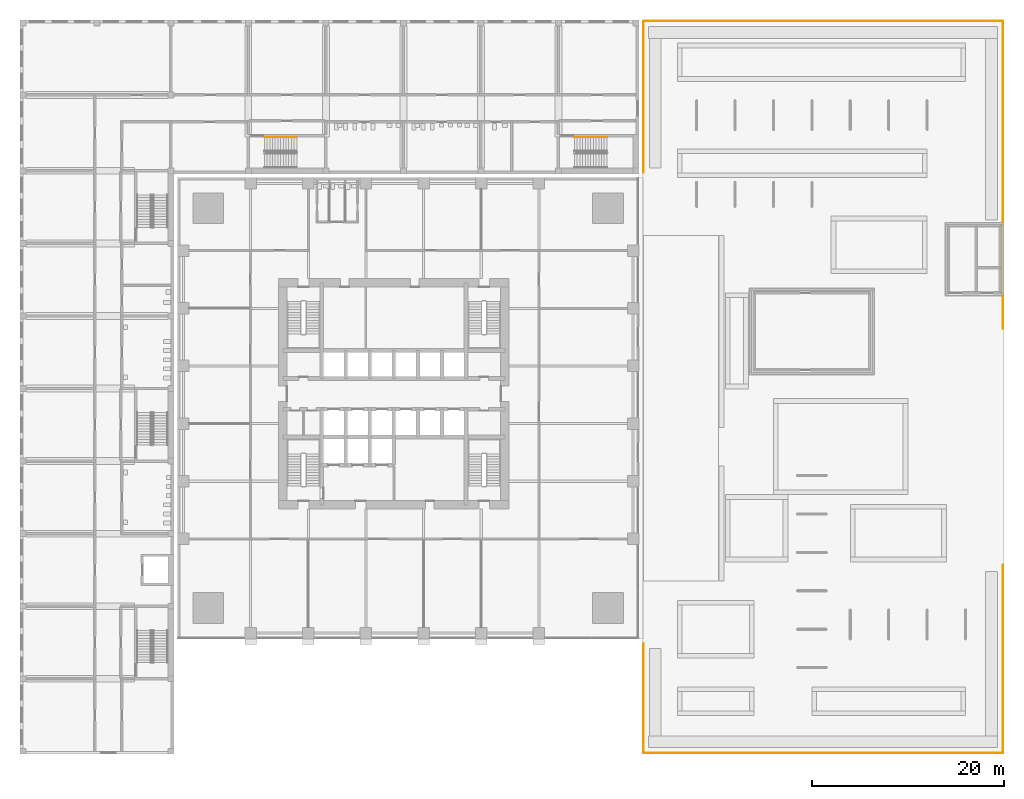
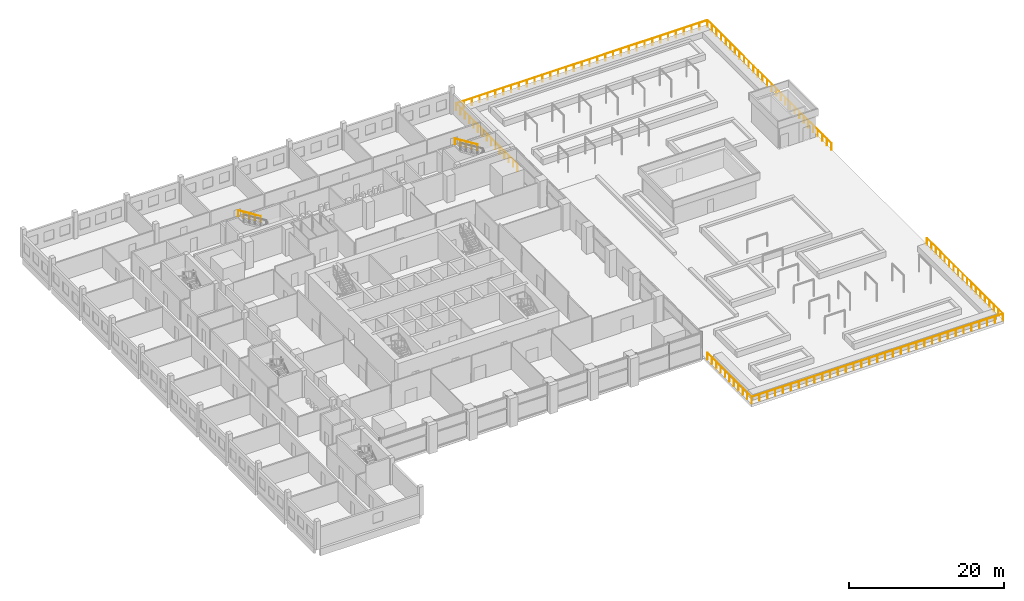
# One storey, part 33 of 34: 8 railings.
"""IFC4 building model written with IfcOpenShell, lengths in metres."""

from ifc_helpers import new_model, si_unit, direction, frame, origin, origin_2d, place, context, subcontext, project, spatial, circle, extrude, material, type_object, element, save


model = new_model("IFC4")

# Units and contexts
model_context = context("Model", 3, precision=1e-05, world=origin(), true_north=direction((0.0, 1.0)))
body_context = subcontext(model_context, "Body", "Model", "MODEL_VIEW")
ifc_project = project(units=[si_unit("LENGTHUNIT", "METRE"), si_unit("AREAUNIT", "SQUARE_METRE"), si_unit("VOLUMEUNIT", "CUBIC_METRE"), si_unit("PLANEANGLEUNIT", "RADIAN"), si_unit("MASSUNIT", "GRAM", prefix="KILO")], contexts=[model_context])

# Site, building, storey
site_placement = place(None, origin())
site = spatial("IfcSite", under=ifc_project, at=site_placement, CompositionType="ELEMENT")
building_placement = place(site_placement, origin())
building = spatial("IfcBuilding", under=site, at=building_placement, Name="Amberfall Residences", CompositionType="ELEMENT")
storey_placement = place(building_placement, frame((0.0, 0.0, 5.5)))
storey = spatial("IfcBuildingStorey", under=building, at=storey_placement, Name="L01", CompositionType="ELEMENT", Elevation=5.5)

# Railings
ifc_material_1 = material(Name="Precast concrete C40 balustrade with stone coping", Category="masonry")
railing_type_1 = type_object("IfcRailingType", Name="Deck balustrade 1100", PredefinedType="BALUSTRADE", material=ifc_material_1)
railing_1_placement = place(storey_placement, frame((100.5, 8.10009765625, 0.0)))
element("IfcRailing", 1, at=railing_1_placement, inside=storey, type_object=railing_type_1, Name="Deck balustrade S", PredefinedType="BALUSTRADE", context=body_context, shape_type="SweptSolid", body=[
    extrude(circle(Radius=0.02392578125, at=origin_2d()), frame((0.0, 0.0, 1.076171875), z_axis=(1.0, 0.0, 0.0), x_axis=(0.0, 1.0, 0.0)), (0.0, 0.0, 1.0), 37.39990234375),
    extrude(circle(Radius=0.02099609375, at=origin_2d()), origin(), (0.0, 0.0, 1.0), 1.052001953125),
    extrude(circle(Radius=0.02099609375, at=origin_2d()), frame((1.168701171875, 0.0, 0.0)), (0.0, 0.0, 1.0), 1.052001953125),
    extrude(circle(Radius=0.02099609375, at=origin_2d()), frame((2.33740234375, 0.0, 0.0)), (0.0, 0.0, 1.0), 1.052001953125),
    extrude(circle(Radius=0.02099609375, at=origin_2d()), frame((3.50634765625, 0.0, 0.0)), (0.0, 0.0, 1.0), 1.052001953125),
    extrude(circle(Radius=0.02099609375, at=origin_2d()), frame((4.675048828125, 0.0, 0.0)), (0.0, 0.0, 1.0), 1.052001953125),
    extrude(circle(Radius=0.02099609375, at=origin_2d()), frame((5.84375, 0.0, 0.0)), (0.0, 0.0, 1.0), 1.052001953125),
    extrude(circle(Radius=0.02099609375, at=origin_2d()), frame((7.012451171875, 0.0, 0.0)), (0.0, 0.0, 1.0), 1.052001953125),
    extrude(circle(Radius=0.02099609375, at=origin_2d()), frame((8.18115234375, 0.0, 0.0)), (0.0, 0.0, 1.0), 1.052001953125),
    extrude(circle(Radius=0.02099609375, at=origin_2d()), frame((9.35009765625, 0.0, 0.0)), (0.0, 0.0, 1.0), 1.052001953125),
    extrude(circle(Radius=0.02099609375, at=origin_2d()), frame((10.518798828125, 0.0, 0.0)), (0.0, 0.0, 1.0), 1.052001953125),
    extrude(circle(Radius=0.02099609375, at=origin_2d()), frame((11.6875, 0.0, 0.0)), (0.0, 0.0, 1.0), 1.052001953125),
    extrude(circle(Radius=0.02099609375, at=origin_2d()), frame((12.856201171875, 0.0, 0.0)), (0.0, 0.0, 1.0), 1.052001953125),
    extrude(circle(Radius=0.02099609375, at=origin_2d()), frame((14.02490234375, 0.0, 0.0)), (0.0, 0.0, 1.0), 1.052001953125),
    extrude(circle(Radius=0.02099609375, at=origin_2d()), frame((15.193603515625, 0.0, 0.0)), (0.0, 0.0, 1.0), 1.052001953125),
    extrude(circle(Radius=0.02099609375, at=origin_2d()), frame((16.362548828125, 0.0, 0.0)), (0.0, 0.0, 1.0), 1.052001953125),
    extrude(circle(Radius=0.02099609375, at=origin_2d()), frame((17.53125, 0.0, 0.0)), (0.0, 0.0, 1.0), 1.052001953125),
    extrude(circle(Radius=0.02099609375, at=origin_2d()), frame((18.699951171875, 0.0, 0.0)), (0.0, 0.0, 1.0), 1.052001953125),
    extrude(circle(Radius=0.02099609375, at=origin_2d()), frame((19.86865234375, 0.0, 0.0)), (0.0, 0.0, 1.0), 1.052001953125),
    extrude(circle(Radius=0.02099609375, at=origin_2d()), frame((21.037353515625, 0.0, 0.0)), (0.0, 0.0, 1.0), 1.052001953125),
    extrude(circle(Radius=0.02099609375, at=origin_2d()), frame((22.206298828125, 0.0, 0.0)), (0.0, 0.0, 1.0), 1.052001953125),
    extrude(circle(Radius=0.02099609375, at=origin_2d()), frame((23.375, 0.0, 0.0)), (0.0, 0.0, 1.0), 1.052001953125),
    extrude(circle(Radius=0.02099609375, at=origin_2d()), frame((24.543701171875, 0.0, 0.0)), (0.0, 0.0, 1.0), 1.052001953125),
    extrude(circle(Radius=0.02099609375, at=origin_2d()), frame((25.71240234375, 0.0, 0.0)), (0.0, 0.0, 1.0), 1.052001953125),
    extrude(circle(Radius=0.02099609375, at=origin_2d()), frame((26.881103515625, 0.0, 0.0)), (0.0, 0.0, 1.0), 1.052001953125),
    extrude(circle(Radius=0.02099609375, at=origin_2d()), frame((28.0498046875, 0.0, 0.0)), (0.0, 0.0, 1.0), 1.052001953125),
    extrude(circle(Radius=0.02099609375, at=origin_2d()), frame((29.21875, 0.0, 0.0)), (0.0, 0.0, 1.0), 1.052001953125),
    extrude(circle(Radius=0.02099609375, at=origin_2d()), frame((30.387451171875, 0.0, 0.0)), (0.0, 0.0, 1.0), 1.052001953125),
    extrude(circle(Radius=0.02099609375, at=origin_2d()), frame((31.55615234375, 0.0, 0.0)), (0.0, 0.0, 1.0), 1.052001953125),
    extrude(circle(Radius=0.02099609375, at=origin_2d()), frame((32.724853515625, 0.0, 0.0)), (0.0, 0.0, 1.0), 1.052001953125),
    extrude(circle(Radius=0.02099609375, at=origin_2d()), frame((33.8935546875, 0.0, 0.0)), (0.0, 0.0, 1.0), 1.052001953125),
    extrude(circle(Radius=0.02099609375, at=origin_2d()), frame((35.0625, 0.0, 0.0)), (0.0, 0.0, 1.0), 1.052001953125),
    extrude(circle(Radius=0.02099609375, at=origin_2d()), frame((36.231201171875, 0.0, 0.0)), (0.0, 0.0, 1.0), 1.052001953125),
    extrude(circle(Radius=0.02099609375, at=origin_2d()), frame((37.39990234375, 0.0, 0.0)), (0.0, 0.0, 1.0), 1.052001953125),
])
railing_2_placement = place(storey_placement, frame((137.89990234375, 8.10009765625, 0.0)))
element("IfcRailing", 2, at=railing_2_placement, inside=storey, type_object=railing_type_1, Name="Deck balustrade E1", PredefinedType="BALUSTRADE", context=body_context, shape_type="SweptSolid", body=[
    extrude(circle(Radius=0.02392578125, at=origin_2d()), frame((0.0, 0.0, 1.076171875), z_axis=(0.0, 1.0, 0.0), x_axis=(-1.0, 0.0, 0.0)), (0.0, 0.0, 1.0), 19.599853515625),
    extrude(circle(Radius=0.02099609375, at=origin_2d()), origin(), (0.0, 0.0, 1.0), 1.052001953125),
    extrude(circle(Radius=0.02099609375, at=origin_2d()), frame((0.0, 1.15283203125, 0.0)), (0.0, 0.0, 1.0), 1.052001953125),
    extrude(circle(Radius=0.02099609375, at=origin_2d()), frame((0.0, 2.305908203125, 0.0)), (0.0, 0.0, 1.0), 1.052001953125),
    extrude(circle(Radius=0.02099609375, at=origin_2d()), frame((0.0, 3.458740234375, 0.0)), (0.0, 0.0, 1.0), 1.052001953125),
    extrude(circle(Radius=0.02099609375, at=origin_2d()), frame((0.0, 4.61181640625, 0.0)), (0.0, 0.0, 1.0), 1.052001953125),
    extrude(circle(Radius=0.02099609375, at=origin_2d()), frame((0.0, 5.7646484375, 0.0)), (0.0, 0.0, 1.0), 1.052001953125),
    extrude(circle(Radius=0.02099609375, at=origin_2d()), frame((0.0, 6.91748046875, 0.0)), (0.0, 0.0, 1.0), 1.052001953125),
    extrude(circle(Radius=0.02099609375, at=origin_2d()), frame((0.0, 8.070556640625, 0.0)), (0.0, 0.0, 1.0), 1.052001953125),
    extrude(circle(Radius=0.02099609375, at=origin_2d()), frame((0.0, 9.223388671875, 0.0)), (0.0, 0.0, 1.0), 1.052001953125),
    extrude(circle(Radius=0.02099609375, at=origin_2d()), frame((0.0, 10.37646484375, 0.0)), (0.0, 0.0, 1.0), 1.052001953125),
    extrude(circle(Radius=0.02099609375, at=origin_2d()), frame((0.0, 11.529296875, 0.0)), (0.0, 0.0, 1.0), 1.052001953125),
    extrude(circle(Radius=0.02099609375, at=origin_2d()), frame((0.0, 12.682373046875, 0.0)), (0.0, 0.0, 1.0), 1.052001953125),
    extrude(circle(Radius=0.02099609375, at=origin_2d()), frame((0.0, 13.835205078125, 0.0)), (0.0, 0.0, 1.0), 1.052001953125),
    extrude(circle(Radius=0.02099609375, at=origin_2d()), frame((0.0, 14.988037109375, 0.0)), (0.0, 0.0, 1.0), 1.052001953125),
    extrude(circle(Radius=0.02099609375, at=origin_2d()), frame((0.0, 16.14111328125, 0.0)), (0.0, 0.0, 1.0), 1.052001953125),
    extrude(circle(Radius=0.02099609375, at=origin_2d()), frame((0.0, 17.2939453125, 0.0)), (0.0, 0.0, 1.0), 1.052001953125),
    extrude(circle(Radius=0.02099609375, at=origin_2d()), frame((0.0, 18.447021484375, 0.0)), (0.0, 0.0, 1.0), 1.052001953125),
    extrude(circle(Radius=0.02099609375, at=origin_2d()), frame((0.0, 19.599853515625, 0.0)), (0.0, 0.0, 1.0), 1.052001953125),
])
railing_3_placement = place(storey_placement, frame((137.89990234375, 52.300048828125, 0.0)))
element("IfcRailing", 3, at=railing_3_placement, inside=storey, type_object=railing_type_1, Name="Deck balustrade E2", PredefinedType="BALUSTRADE", context=body_context, shape_type="SweptSolid", body=[
    extrude(circle(Radius=0.02392578125, at=origin_2d()), frame((0.0, 0.0, 1.076171875), z_axis=(0.0, 1.0, 0.0), x_axis=(-1.0, 0.0, 0.0)), (0.0, 0.0, 1.0), 32.0),
    extrude(circle(Radius=0.02099609375, at=origin_2d()), origin(), (0.0, 0.0, 1.0), 1.052001953125),
    extrude(circle(Radius=0.02099609375, at=origin_2d()), frame((0.0, 1.185302734375, 0.0)), (0.0, 0.0, 1.0), 1.052001953125),
    extrude(circle(Radius=0.02099609375, at=origin_2d()), frame((0.0, 2.370361328125, 0.0)), (0.0, 0.0, 1.0), 1.052001953125),
    extrude(circle(Radius=0.02099609375, at=origin_2d()), frame((0.0, 3.5556640625, 0.0)), (0.0, 0.0, 1.0), 1.052001953125),
    extrude(circle(Radius=0.02099609375, at=origin_2d()), frame((0.0, 4.74072265625, 0.0)), (0.0, 0.0, 1.0), 1.052001953125),
    extrude(circle(Radius=0.02099609375, at=origin_2d()), frame((0.0, 5.926025390625, 0.0)), (0.0, 0.0, 1.0), 1.052001953125),
    extrude(circle(Radius=0.02099609375, at=origin_2d()), frame((0.0, 7.111083984375, 0.0)), (0.0, 0.0, 1.0), 1.052001953125),
    extrude(circle(Radius=0.02099609375, at=origin_2d()), frame((0.0, 8.29638671875, 0.0)), (0.0, 0.0, 1.0), 1.052001953125),
    extrude(circle(Radius=0.02099609375, at=origin_2d()), frame((0.0, 9.4814453125, 0.0)), (0.0, 0.0, 1.0), 1.052001953125),
    extrude(circle(Radius=0.02099609375, at=origin_2d()), frame((0.0, 10.666748046875, 0.0)), (0.0, 0.0, 1.0), 1.052001953125),
    extrude(circle(Radius=0.02099609375, at=origin_2d()), frame((0.0, 11.851806640625, 0.0)), (0.0, 0.0, 1.0), 1.052001953125),
    extrude(circle(Radius=0.02099609375, at=origin_2d()), frame((0.0, 13.037109375, 0.0)), (0.0, 0.0, 1.0), 1.052001953125),
    extrude(circle(Radius=0.02099609375, at=origin_2d()), frame((0.0, 14.22216796875, 0.0)), (0.0, 0.0, 1.0), 1.052001953125),
    extrude(circle(Radius=0.02099609375, at=origin_2d()), frame((0.0, 15.407470703125, 0.0)), (0.0, 0.0, 1.0), 1.052001953125),
    extrude(circle(Radius=0.02099609375, at=origin_2d()), frame((0.0, 16.592529296875, 0.0)), (0.0, 0.0, 1.0), 1.052001953125),
    extrude(circle(Radius=0.02099609375, at=origin_2d()), frame((0.0, 17.77783203125, 0.0)), (0.0, 0.0, 1.0), 1.052001953125),
    extrude(circle(Radius=0.02099609375, at=origin_2d()), frame((0.0, 18.962890625, 0.0)), (0.0, 0.0, 1.0), 1.052001953125),
    extrude(circle(Radius=0.02099609375, at=origin_2d()), frame((0.0, 20.148193359375, 0.0)), (0.0, 0.0, 1.0), 1.052001953125),
    extrude(circle(Radius=0.02099609375, at=origin_2d()), frame((0.0, 21.333251953125, 0.0)), (0.0, 0.0, 1.0), 1.052001953125),
    extrude(circle(Radius=0.02099609375, at=origin_2d()), frame((0.0, 22.5185546875, 0.0)), (0.0, 0.0, 1.0), 1.052001953125),
    extrude(circle(Radius=0.02099609375, at=origin_2d()), frame((0.0, 23.70361328125, 0.0)), (0.0, 0.0, 1.0), 1.052001953125),
    extrude(circle(Radius=0.02099609375, at=origin_2d()), frame((0.0, 24.888916015625, 0.0)), (0.0, 0.0, 1.0), 1.052001953125),
    extrude(circle(Radius=0.02099609375, at=origin_2d()), frame((0.0, 26.073974609375, 0.0)), (0.0, 0.0, 1.0), 1.052001953125),
    extrude(circle(Radius=0.02099609375, at=origin_2d()), frame((0.0, 27.25927734375, 0.0)), (0.0, 0.0, 1.0), 1.052001953125),
    extrude(circle(Radius=0.02099609375, at=origin_2d()), frame((0.0, 28.4443359375, 0.0)), (0.0, 0.0, 1.0), 1.052001953125),
    extrude(circle(Radius=0.02099609375, at=origin_2d()), frame((0.0, 29.629638671875, 0.0)), (0.0, 0.0, 1.0), 1.052001953125),
    extrude(circle(Radius=0.02099609375, at=origin_2d()), frame((0.0, 30.814697265625, 0.0)), (0.0, 0.0, 1.0), 1.052001953125),
    extrude(circle(Radius=0.02099609375, at=origin_2d()), frame((0.0, 32.0, 0.0)), (0.0, 0.0, 1.0), 1.052001953125),
])
railing_4_placement = place(storey_placement, frame((137.89990234375, 84.300048828125, 0.0)))
element("IfcRailing", 4, at=railing_4_placement, inside=storey, type_object=railing_type_1, Name="Deck balustrade N", PredefinedType="BALUSTRADE", context=body_context, shape_type="SweptSolid", body=[
    extrude(circle(Radius=0.02392578125, at=origin_2d()), frame((0.0, 0.0, 1.076171875), z_axis=(-1.0, 0.0, 0.0), x_axis=(0.0, -1.0, 0.0)), (0.0, 0.0, 1.0), 37.39990234375),
    extrude(circle(Radius=0.02099609375, at=origin_2d()), origin(), (0.0, 0.0, 1.0), 1.052001953125),
    extrude(circle(Radius=0.02099609375, at=origin_2d()), frame((-1.168701171875, 0.0, 0.0)), (0.0, 0.0, 1.0), 1.052001953125),
    extrude(circle(Radius=0.02099609375, at=origin_2d()), frame((-2.33740234375, 0.0, 0.0)), (0.0, 0.0, 1.0), 1.052001953125),
    extrude(circle(Radius=0.02099609375, at=origin_2d()), frame((-3.50634765625, 0.0, 0.0)), (0.0, 0.0, 1.0), 1.052001953125),
    extrude(circle(Radius=0.02099609375, at=origin_2d()), frame((-4.675048828125, 0.0, 0.0)), (0.0, 0.0, 1.0), 1.052001953125),
    extrude(circle(Radius=0.02099609375, at=origin_2d()), frame((-5.84375, 0.0, 0.0)), (0.0, 0.0, 1.0), 1.052001953125),
    extrude(circle(Radius=0.02099609375, at=origin_2d()), frame((-7.012451171875, 0.0, 0.0)), (0.0, 0.0, 1.0), 1.052001953125),
    extrude(circle(Radius=0.02099609375, at=origin_2d()), frame((-8.18115234375, 0.0, 0.0)), (0.0, 0.0, 1.0), 1.052001953125),
    extrude(circle(Radius=0.02099609375, at=origin_2d()), frame((-9.35009765625, 0.0, 0.0)), (0.0, 0.0, 1.0), 1.052001953125),
    extrude(circle(Radius=0.02099609375, at=origin_2d()), frame((-10.518798828125, 0.0, 0.0)), (0.0, 0.0, 1.0), 1.052001953125),
    extrude(circle(Radius=0.02099609375, at=origin_2d()), frame((-11.6875, 0.0, 0.0)), (0.0, 0.0, 1.0), 1.052001953125),
    extrude(circle(Radius=0.02099609375, at=origin_2d()), frame((-12.856201171875, 0.0, 0.0)), (0.0, 0.0, 1.0), 1.052001953125),
    extrude(circle(Radius=0.02099609375, at=origin_2d()), frame((-14.02490234375, 0.0, 0.0)), (0.0, 0.0, 1.0), 1.052001953125),
    extrude(circle(Radius=0.02099609375, at=origin_2d()), frame((-15.193603515625, 0.0, 0.0)), (0.0, 0.0, 1.0), 1.052001953125),
    extrude(circle(Radius=0.02099609375, at=origin_2d()), frame((-16.362548828125, 0.0, 0.0)), (0.0, 0.0, 1.0), 1.052001953125),
    extrude(circle(Radius=0.02099609375, at=origin_2d()), frame((-17.53125, 0.0, 0.0)), (0.0, 0.0, 1.0), 1.052001953125),
    extrude(circle(Radius=0.02099609375, at=origin_2d()), frame((-18.699951171875, 0.0, 0.0)), (0.0, 0.0, 1.0), 1.052001953125),
    extrude(circle(Radius=0.02099609375, at=origin_2d()), frame((-19.86865234375, 0.0, 0.0)), (0.0, 0.0, 1.0), 1.052001953125),
    extrude(circle(Radius=0.02099609375, at=origin_2d()), frame((-21.037353515625, 0.0, 0.0)), (0.0, 0.0, 1.0), 1.052001953125),
    extrude(circle(Radius=0.02099609375, at=origin_2d()), frame((-22.206298828125, 0.0, 0.0)), (0.0, 0.0, 1.0), 1.052001953125),
    extrude(circle(Radius=0.02099609375, at=origin_2d()), frame((-23.375, 0.0, 0.0)), (0.0, 0.0, 1.0), 1.052001953125),
    extrude(circle(Radius=0.02099609375, at=origin_2d()), frame((-24.543701171875, 0.0, 0.0)), (0.0, 0.0, 1.0), 1.052001953125),
    extrude(circle(Radius=0.02099609375, at=origin_2d()), frame((-25.71240234375, 0.0, 0.0)), (0.0, 0.0, 1.0), 1.052001953125),
    extrude(circle(Radius=0.02099609375, at=origin_2d()), frame((-26.881103515625, 0.0, 0.0)), (0.0, 0.0, 1.0), 1.052001953125),
    extrude(circle(Radius=0.02099609375, at=origin_2d()), frame((-28.0498046875, 0.0, 0.0)), (0.0, 0.0, 1.0), 1.052001953125),
    extrude(circle(Radius=0.02099609375, at=origin_2d()), frame((-29.21875, 0.0, 0.0)), (0.0, 0.0, 1.0), 1.052001953125),
    extrude(circle(Radius=0.02099609375, at=origin_2d()), frame((-30.387451171875, 0.0, 0.0)), (0.0, 0.0, 1.0), 1.052001953125),
    extrude(circle(Radius=0.02099609375, at=origin_2d()), frame((-31.55615234375, 0.0, 0.0)), (0.0, 0.0, 1.0), 1.052001953125),
    extrude(circle(Radius=0.02099609375, at=origin_2d()), frame((-32.724853515625, 0.0, 0.0)), (0.0, 0.0, 1.0), 1.052001953125),
    extrude(circle(Radius=0.02099609375, at=origin_2d()), frame((-33.8935546875, 0.0, 0.0)), (0.0, 0.0, 1.0), 1.052001953125),
    extrude(circle(Radius=0.02099609375, at=origin_2d()), frame((-35.0625, 0.0, 0.0)), (0.0, 0.0, 1.0), 1.052001953125),
    extrude(circle(Radius=0.02099609375, at=origin_2d()), frame((-36.231201171875, 0.0, 0.0)), (0.0, 0.0, 1.0), 1.052001953125),
    extrude(circle(Radius=0.02099609375, at=origin_2d()), frame((-37.39990234375, 0.0, 0.0)), (0.0, 0.0, 1.0), 1.052001953125),
])
railing_5_placement = place(storey_placement, frame((100.5, 84.300048828125, 0.0)))
element("IfcRailing", 5, at=railing_5_placement, inside=storey, type_object=railing_type_1, Name="Deck balustrade W1", PredefinedType="BALUSTRADE", context=body_context, shape_type="SweptSolid", body=[
    extrude(circle(Radius=0.02392578125, at=origin_2d()), frame((0.0, 0.0, 1.076171875), z_axis=(0.0, -1.0, 0.0), x_axis=(1.0, 0.0, 0.0)), (0.0, 0.0, 1.0), 15.800048828125),
    extrude(circle(Radius=0.02099609375, at=origin_2d()), origin(), (0.0, 0.0, 1.0), 1.052001953125),
    extrude(circle(Radius=0.02099609375, at=origin_2d()), frame((0.0, -1.128662109375, 0.0)), (0.0, 0.0, 1.0), 1.052001953125),
    extrude(circle(Radius=0.02099609375, at=origin_2d()), frame((0.0, -2.257080078125, 0.0)), (0.0, 0.0, 1.0), 1.052001953125),
    extrude(circle(Radius=0.02099609375, at=origin_2d()), frame((0.0, -3.3857421875, 0.0)), (0.0, 0.0, 1.0), 1.052001953125),
    extrude(circle(Radius=0.02099609375, at=origin_2d()), frame((0.0, -4.514404296875, 0.0)), (0.0, 0.0, 1.0), 1.052001953125),
    extrude(circle(Radius=0.02099609375, at=origin_2d()), frame((0.0, -5.642822265625, 0.0)), (0.0, 0.0, 1.0), 1.052001953125),
    extrude(circle(Radius=0.02099609375, at=origin_2d()), frame((0.0, -6.771484375, 0.0)), (0.0, 0.0, 1.0), 1.052001953125),
    extrude(circle(Radius=0.02099609375, at=origin_2d()), frame((0.0, -7.89990234375, 0.0)), (0.0, 0.0, 1.0), 1.052001953125),
    extrude(circle(Radius=0.02099609375, at=origin_2d()), frame((0.0, -9.028564453125, 0.0)), (0.0, 0.0, 1.0), 1.052001953125),
    extrude(circle(Radius=0.02099609375, at=origin_2d()), frame((0.0, -10.1572265625, 0.0)), (0.0, 0.0, 1.0), 1.052001953125),
    extrude(circle(Radius=0.02099609375, at=origin_2d()), frame((0.0, -11.28564453125, 0.0)), (0.0, 0.0, 1.0), 1.052001953125),
    extrude(circle(Radius=0.02099609375, at=origin_2d()), frame((0.0, -12.414306640625, 0.0)), (0.0, 0.0, 1.0), 1.052001953125),
    extrude(circle(Radius=0.02099609375, at=origin_2d()), frame((0.0, -13.54296875, 0.0)), (0.0, 0.0, 1.0), 1.052001953125),
    extrude(circle(Radius=0.02099609375, at=origin_2d()), frame((0.0, -14.67138671875, 0.0)), (0.0, 0.0, 1.0), 1.052001953125),
    extrude(circle(Radius=0.02099609375, at=origin_2d()), frame((0.0, -15.800048828125, 0.0)), (0.0, 0.0, 1.0), 1.052001953125),
])
railing_6_placement = place(storey_placement, frame((100.5, 19.5, 0.0)))
element("IfcRailing", 6, at=railing_6_placement, inside=storey, type_object=railing_type_1, Name="Deck balustrade W2", PredefinedType="BALUSTRADE", context=body_context, shape_type="SweptSolid", body=[
    extrude(circle(Radius=0.02392578125, at=origin_2d()), frame((0.0, 0.0, 1.076171875), z_axis=(0.0, -1.0, 0.0), x_axis=(1.0, 0.0, 0.0)), (0.0, 0.0, 1.0), 11.39990234375),
    extrude(circle(Radius=0.02099609375, at=origin_2d()), origin(), (0.0, 0.0, 1.0), 1.052001953125),
    extrude(circle(Radius=0.02099609375, at=origin_2d()), frame((0.0, -1.139892578125, 0.0)), (0.0, 0.0, 1.0), 1.052001953125),
    extrude(circle(Radius=0.02099609375, at=origin_2d()), frame((0.0, -2.280029296875, 0.0)), (0.0, 0.0, 1.0), 1.052001953125),
    extrude(circle(Radius=0.02099609375, at=origin_2d()), frame((0.0, -3.419921875, 0.0)), (0.0, 0.0, 1.0), 1.052001953125),
    extrude(circle(Radius=0.02099609375, at=origin_2d()), frame((0.0, -4.56005859375, 0.0)), (0.0, 0.0, 1.0), 1.052001953125),
    extrude(circle(Radius=0.02099609375, at=origin_2d()), frame((0.0, -5.699951171875, 0.0)), (0.0, 0.0, 1.0), 1.052001953125),
    extrude(circle(Radius=0.02099609375, at=origin_2d()), frame((0.0, -6.83984375, 0.0)), (0.0, 0.0, 1.0), 1.052001953125),
    extrude(circle(Radius=0.02099609375, at=origin_2d()), frame((0.0, -7.97998046875, 0.0)), (0.0, 0.0, 1.0), 1.052001953125),
    extrude(circle(Radius=0.02099609375, at=origin_2d()), frame((0.0, -9.119873046875, 0.0)), (0.0, 0.0, 1.0), 1.052001953125),
    extrude(circle(Radius=0.02099609375, at=origin_2d()), frame((0.0, -10.260009765625, 0.0)), (0.0, 0.0, 1.0), 1.052001953125),
    extrude(circle(Radius=0.02099609375, at=origin_2d()), frame((0.0, -11.39990234375, 0.0)), (0.0, 0.0, 1.0), 1.052001953125),
])
ifc_material_2 = material(Name="Stainless steel", Category="steel")
railing_type_2 = type_object("IfcRailingType", Name="School stair handrail", PredefinedType="HANDRAIL", material=ifc_material_2)
railing_7_placement = place(storey_placement, frame((64.402099609375, 72.199951171875, 2.423095703125)))
element("IfcRailing", 7, at=railing_7_placement, inside=storey, type_object=railing_type_2, Name="L01 SS4 stair handrail 2", PredefinedType="HANDRAIL", context=body_context, shape_type="SweptSolid", body=[
    extrude(circle(Radius=0.02392578125, at=origin_2d()), frame((0.0, 0.0, 0.8759765625), z_axis=(-0.850623216509, 0.0, 0.525775754039), x_axis=(0.0, -1.0, 0.0)), (0.0, 0.0, 1.0), 3.9501953125),
    extrude(circle(Radius=0.02099609375, at=origin_2d()), origin(), (0.0, 0.0, 1.0), 0.851806640625),
    extrude(circle(Radius=0.02099609375, at=origin_2d()), frame((-0.840087890625, 0.0, 0.519287109375)), (0.0, 0.0, 1.0), 0.851806640625),
    extrude(circle(Radius=0.02099609375, at=origin_2d()), frame((-1.68017578125, 0.0, 1.03857421875)), (0.0, 0.0, 1.0), 0.851806640625),
    extrude(circle(Radius=0.02099609375, at=origin_2d()), frame((-2.52001953125, 0.0, 1.5576171875)), (0.0, 0.0, 1.0), 0.851806640625),
    extrude(circle(Radius=0.02099609375, at=origin_2d()), frame((-3.360107421875, 0.0, 2.076904296875)), (0.0, 0.0, 1.0), 0.851806640625),
])
railing_8_placement = place(storey_placement, frame((96.66796875, 72.199951171875, 2.423095703125)))
element("IfcRailing", 8, at=railing_8_placement, inside=storey, type_object=railing_type_2, Name="L01 SS5 stair handrail 2", PredefinedType="HANDRAIL", context=body_context, shape_type="SweptSolid", body=[
    extrude(circle(Radius=0.02392578125, at=origin_2d()), frame((0.0, 0.0, 0.8759765625), z_axis=(-0.850606129759, 0.0, 0.525803396734), x_axis=(0.0, -1.0, 0.0)), (0.0, 0.0, 1.0), 3.949951171875),
    extrude(circle(Radius=0.02099609375, at=origin_2d()), origin(), (0.0, 0.0, 1.0), 0.851806640625),
    extrude(circle(Radius=0.02099609375, at=origin_2d()), frame((-0.83984375, 0.0, 0.519287109375)), (0.0, 0.0, 1.0), 0.851806640625),
    extrude(circle(Radius=0.02099609375, at=origin_2d()), frame((-1.679931640625, 0.0, 1.03857421875)), (0.0, 0.0, 1.0), 0.851806640625),
    extrude(circle(Radius=0.02099609375, at=origin_2d()), frame((-2.52001953125, 0.0, 1.5576171875)), (0.0, 0.0, 1.0), 0.851806640625),
    extrude(circle(Radius=0.02099609375, at=origin_2d()), frame((-3.35986328125, 0.0, 2.076904296875)), (0.0, 0.0, 1.0), 0.851806640625),
])

save(model, "model.ifc")
